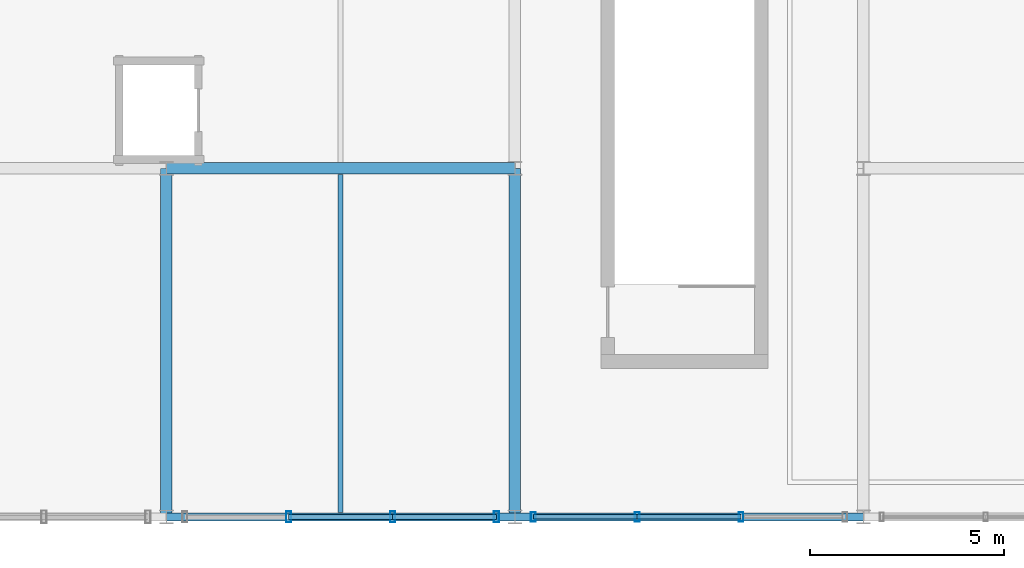
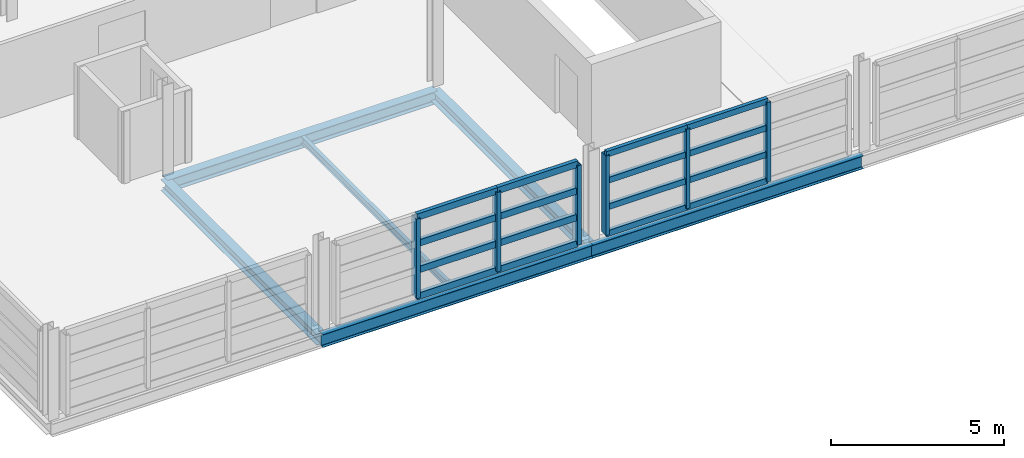
# One storey, part 32 of 86: 22 members, 6 beams, 2 elements without a shape of their own.
"""IFC4 building model written with IfcOpenShell, lengths in metres."""

from ifc_helpers import new_model, si_unit, direction, frame, origin, origin_2d, place, context, subcontext, project, spatial, hollow_rectangle, i_section, extrude, material, material_profile, profile_set, type_object, element, aggregate, save


model = new_model("IFC4")

# Units and contexts
model_context = context("Model", 3, precision=1e-05, world=origin(), true_north=direction((0.0, 1.0)))
body_context = subcontext(model_context, "Body", "Model", "MODEL_VIEW")
ifc_project = project(units=[si_unit("LENGTHUNIT", "METRE"), si_unit("AREAUNIT", "SQUARE_METRE"), si_unit("VOLUMEUNIT", "CUBIC_METRE"), si_unit("PLANEANGLEUNIT", "RADIAN"), si_unit("MASSUNIT", "GRAM", prefix="KILO")], contexts=[model_context])

# Site, building, storey
site_placement = place(None, origin())
site = spatial("IfcSite", under=ifc_project, at=site_placement, CompositionType="ELEMENT")
building_placement = place(site_placement, origin())
building = spatial("IfcBuilding", under=site, at=building_placement, Name="Chuanluo Vaults Station", CompositionType="ELEMENT")
storey_placement = place(building_placement, frame((0.0, 0.0, 14.39990234375)))
storey = spatial("IfcBuildingStorey", under=building, at=storey_placement, Name="L03", CompositionType="ELEMENT", Elevation=14.39990234375)

# Beams
ifc_material_1 = material(Name="Steel Q355C", Category="steel")
ifc_material_profile_1 = material_profile(ifc_material_1, i_section(OverallWidth=0.300048828125, OverallDepth=0.389892578125, WebThickness=0.010009765625, FlangeThickness=0.01611328125, FilletRadius=0.02001953125, at=origin_2d()))
ifc_profile_set_1 = profile_set([ifc_material_profile_1], Name="Steel Q355C")
beam_type_1 = type_object("IfcBeamType", Name="BM-GRD-400", PredefinedType="BEAM", material=ifc_profile_set_1)
for number, where, z_axis, x_axis, name in (
    (1, (145.0, 0.0, -0.39501953125), (0.0, 1.0, 0.0), (-1.0, 0.0, 0.0), "Floor girder BM:GY:L03:0786"),
    (2, (154.0, 0.0, -0.39501953125), (0.0, 1.0, 0.0), (-1.0, 0.0, 0.0), "Floor girder BM:GY:L03:0795"),
):
    element("IfcBeam", number, at=place(storey_placement, frame(where, z_axis=z_axis, x_axis=x_axis)), inside=storey, type_object=beam_type_1, Name=name, PredefinedType="BEAM", context=body_context, shape_type="SweptSolid", body=[
        extrude(i_section(OverallWidth=0.300048828125, OverallDepth=0.389892578125, WebThickness=0.010009765625, FlangeThickness=0.01611328125, FilletRadius=0.02001953125, at=origin_2d()), origin(), (0.0, 0.0, 1.0), 9.0),
    ])
ifc_material_2 = material(Name="Steel Q355C", Category="steel")
ifc_material_profile_2 = material_profile(ifc_material_2, i_section(OverallWidth=0.300048828125, OverallDepth=0.43994140625, WebThickness=0.010986328125, FlangeThickness=0.01806640625, FilletRadius=0.02001953125, at=origin_2d()))
ifc_profile_set_2 = profile_set([ifc_material_profile_2], Name="Steel Q355C")
beam_type_2 = type_object("IfcBeamType", Name="BM-GRD-450", PredefinedType="USERDEFINED", material=ifc_profile_set_2)
beam_1_placement = place(storey_placement, frame((145.0, 9.0, -0.419921875), z_axis=(1.0, 0.0, 0.0), x_axis=(0.0, 1.0, 0.0)))
element("IfcBeam", 3, at=beam_1_placement, inside=storey, type_object=beam_type_2, Name="Floor girder BM:GX:L03:0717", ObjectType="GIRDER", PredefinedType="USERDEFINED", context=body_context, shape_type="SweptSolid", body=[
    extrude(i_section(OverallWidth=0.300048828125, OverallDepth=0.43994140625, WebThickness=0.010986328125, FlangeThickness=0.01806640625, FilletRadius=0.02001953125, at=origin_2d()), origin(), (0.0, 0.0, 1.0), 9.0),
])
ifc_material_3 = material(Name="Steel Q355C", Category="steel")
ifc_material_profile_3 = material_profile(ifc_material_3, i_section(OverallWidth=0.125, OverallDepth=0.25, WebThickness=0.006103515625, FlangeThickness=0.009033203125, FilletRadius=0.011962890625, at=origin_2d()))
ifc_profile_set_3 = profile_set([ifc_material_profile_3], Name="Steel Q355C")
beam_type_3 = type_object("IfcBeamType", Name="BM-SEC-250", PredefinedType="JOIST", material=ifc_profile_set_3)
beam_2_placement = place(storey_placement, frame((149.5, 0.107421875, -0.324951171875), z_axis=(0.0, 1.0, 0.0), x_axis=(-1.0, 0.0, 0.0)))
element("IfcBeam", 4, at=beam_2_placement, inside=storey, type_object=beam_type_3, Name="Composite secondary joist 0236", PredefinedType="JOIST", context=body_context, shape_type="SweptSolid", body=[
    extrude(i_section(OverallWidth=0.125, OverallDepth=0.25, WebThickness=0.006103515625, FlangeThickness=0.009033203125, FilletRadius=0.011962890625, at=origin_2d()), origin(), (0.0, 0.0, 1.0), 8.737548828125),
])
ifc_material_4 = material(Name="Steel Q355C", Category="steel")
ifc_material_profile_4 = material_profile(ifc_material_4, i_section(OverallWidth=0.205078125, OverallDepth=0.4599609375, WebThickness=0.009033203125, FlangeThickness=0.013916015625, FilletRadius=0.01611328125, at=origin_2d()))
ifc_profile_set_4 = profile_set([ifc_material_profile_4], Name="Steel Q355C")
beam_type_4 = type_object("IfcBeamType", Name="BM-SPN-450", PredefinedType="SPANDREL", material=ifc_profile_set_4)
for number, where, z_axis, x_axis, name in (
    (5, (145.0, 0.0, -0.429931640625), (1.0, 0.0, 0.0), (0.0, 1.0, 0.0), "Floor girder BM:GX:L03:0712"),
    (6, (154.0, 0.0, -0.429931640625), (1.0, 0.0, 0.0), (0.0, 1.0, 0.0), "Floor girder BM:GX:L03:0713"),
):
    element("IfcBeam", number, at=place(storey_placement, frame(where, z_axis=z_axis, x_axis=x_axis)), inside=storey, type_object=beam_type_4, Name=name, PredefinedType="SPANDREL", context=body_context, shape_type="SweptSolid", body=[
        extrude(i_section(OverallWidth=0.205078125, OverallDepth=0.4599609375, WebThickness=0.009033203125, FlangeThickness=0.013916015625, FilletRadius=0.01611328125, at=origin_2d()), origin(), (0.0, 0.0, 1.0), 9.0),
    ])

# Curtain wall, members
ifc_material_5 = material(Name="Anodised aluminium 6063-T6", Category="aluminium")
curtain_wall_type_1 = type_object("IfcCurtainWallType", Name="CW-SYS-07", PredefinedType="NOTDEFINED", material=ifc_material_5)
curtain_wall_1_placement = place(storey_placement, origin())
curtain_wall_1 = element("IfcCurtainWall", 7, at=curtain_wall_1_placement, inside=storey, type_object=curtain_wall_type_1, Name="Retail pavilion L03 facade CW", PredefinedType="NOTDEFINED")
ifc_material_6 = material(Name="Anodised aluminium 6063-T6", Category="aluminium")
ifc_material_profile_5 = material_profile(ifc_material_6, hollow_rectangle(XDim=0.1201171875, YDim=0.25, WallThickness=0.006103515625, at=origin_2d()))
ifc_profile_set_5 = profile_set([ifc_material_profile_5], Name="Anodised aluminium 6063-T6")
member_type_1 = type_object("IfcMemberType", Name="CWM-160", PredefinedType="MULLION", material=ifc_profile_set_5)
member_1_placement = place(storey_placement, frame((159.841796875, 0.0, 0.0), z_axis=(0.0, 0.0, 1.0), x_axis=(-1.0, 0.0, 0.0)))
member_1 = element("IfcMember", 8, at=member_1_placement, type_object=member_type_1, Name="Retail pavilion L03 facade CW mullion 2", PredefinedType="MULLION", context=body_context, shape_type="SweptSolid", body=[
    extrude(hollow_rectangle(XDim=0.1201171875, YDim=0.25, WallThickness=0.006103515625, at=origin_2d()), origin(), (0.0, 0.0, 1.0), 2.800048828125),
])
member_2_placement = place(storey_placement, frame((157.158203125, 0.0, 0.0), z_axis=(0.0, 0.0, 1.0), x_axis=(-1.0, 0.0, 0.0)))
member_2 = element("IfcMember", 9, at=member_2_placement, type_object=member_type_1, Name="Retail pavilion L03 facade CW mullion 3", PredefinedType="MULLION", context=body_context, shape_type="SweptSolid", body=[
    extrude(hollow_rectangle(XDim=0.1201171875, YDim=0.25, WallThickness=0.006103515625, at=origin_2d()), origin(), (0.0, 0.0, 1.0), 2.800048828125),
])
member_3_placement = place(storey_placement, frame((154.47509765625, 0.0, 0.0), z_axis=(0.0, 0.0, 1.0), x_axis=(-1.0, 0.0, 0.0)))
member_3 = element("IfcMember", 10, at=member_3_placement, type_object=member_type_1, Name="Retail pavilion L03 facade CW mullion 4", PredefinedType="MULLION", context=body_context, shape_type="SweptSolid", body=[
    extrude(hollow_rectangle(XDim=0.1201171875, YDim=0.25, WallThickness=0.006103515625, at=origin_2d()), origin(), (0.0, 0.0, 1.0), 2.800048828125),
])

ifc_material_7 = material(Name="Anodised aluminium 6063-T6", Category="aluminium")
curtain_wall_type_2 = type_object("IfcCurtainWallType", Name="CW-SYS-06", PredefinedType="NOTDEFINED", material=ifc_material_7)
curtain_wall_2_placement = place(storey_placement, origin())
curtain_wall_2 = element("IfcCurtainWall", 11, at=curtain_wall_2_placement, inside=storey, type_object=curtain_wall_type_2, Name="Retail pavilion L03 facade CW", PredefinedType="NOTDEFINED")
ifc_material_8 = material(Name="Anodised aluminium 6063-T6", Category="aluminium")
ifc_material_profile_6 = material_profile(ifc_material_8, hollow_rectangle(XDim=0.1298828125, YDim=0.280029296875, WallThickness=0.007080078125, at=origin_2d()))
ifc_profile_set_6 = profile_set([ifc_material_profile_6], Name="Anodised aluminium 6063-T6")
member_type_2 = type_object("IfcMemberType", Name="CWM-180", PredefinedType="MULLION", material=ifc_profile_set_6)
member_4_placement = place(storey_placement, frame((153.52490234375, 0.0, 0.0), z_axis=(0.0, 0.0, 1.0), x_axis=(-1.0, 0.0, 0.0)))
member_4 = element("IfcMember", 12, at=member_4_placement, type_object=member_type_2, Name="Retail pavilion L03 facade CW mullion 1", PredefinedType="MULLION", context=body_context, shape_type="SweptSolid", body=[
    extrude(hollow_rectangle(XDim=0.1298828125, YDim=0.280029296875, WallThickness=0.007080078125, at=origin_2d()), origin(), (0.0, 0.0, 1.0), 2.800048828125),
])
member_5_placement = place(storey_placement, frame((150.841796875, 0.0, 0.0), z_axis=(0.0, 0.0, 1.0), x_axis=(-1.0, 0.0, 0.0)))
member_5 = element("IfcMember", 13, at=member_5_placement, type_object=member_type_2, Name="Retail pavilion L03 facade CW mullion 2", PredefinedType="MULLION", context=body_context, shape_type="SweptSolid", body=[
    extrude(hollow_rectangle(XDim=0.1298828125, YDim=0.280029296875, WallThickness=0.007080078125, at=origin_2d()), origin(), (0.0, 0.0, 1.0), 2.800048828125),
])
member_6_placement = place(storey_placement, frame((148.158203125, 0.0, 0.0), z_axis=(0.0, 0.0, 1.0), x_axis=(-1.0, 0.0, 0.0)))
member_6 = element("IfcMember", 14, at=member_6_placement, type_object=member_type_2, Name="Retail pavilion L03 facade CW mullion 3", PredefinedType="MULLION", context=body_context, shape_type="SweptSolid", body=[
    extrude(hollow_rectangle(XDim=0.1298828125, YDim=0.280029296875, WallThickness=0.007080078125, at=origin_2d()), origin(), (0.0, 0.0, 1.0), 2.800048828125),
])

# Member
ifc_material_9 = material(Name="Anodised aluminium 6063-T6", Category="aluminium")
ifc_material_profile_7 = material_profile(ifc_material_9, hollow_rectangle(XDim=0.1201171875, YDim=0.205078125, WallThickness=0.006103515625, at=origin_2d()))
ifc_profile_set_7 = profile_set([ifc_material_profile_7], Name="Anodised aluminium 6063-T6")
member_type_3 = type_object("IfcMemberType", Name="CWT-130", PredefinedType="USERDEFINED", material=ifc_profile_set_7)
member_7_placement = place(storey_placement, frame((159.841796875, 0.0, 0.0), z_axis=(-1.0, 0.0, 0.0), x_axis=(0.0, -1.0, 0.0)))
member_7 = element("IfcMember", 15, at=member_7_placement, type_object=member_type_3, Name="Retail pavilion L03 facade CW transom 2.1", ObjectType="TRANSOM", PredefinedType="USERDEFINED", context=body_context, shape_type="SweptSolid", body=[
    extrude(hollow_rectangle(XDim=0.1201171875, YDim=0.205078125, WallThickness=0.006103515625, at=origin_2d()), origin(), (0.0, 0.0, 1.0), 2.68359375),
])

member_8_placement = place(storey_placement, frame((159.841796875, 0.0, 0.933349609375), z_axis=(-1.0, 0.0, 0.0), x_axis=(0.0, -1.0, 0.0)))
member_8 = element("IfcMember", 16, at=member_8_placement, type_object=member_type_3, Name="Retail pavilion L03 facade CW transom 2.2", ObjectType="TRANSOM", PredefinedType="USERDEFINED", context=body_context, shape_type="SweptSolid", body=[
    extrude(hollow_rectangle(XDim=0.1201171875, YDim=0.205078125, WallThickness=0.006103515625, at=origin_2d()), origin(), (0.0, 0.0, 1.0), 2.68359375),
])

member_9_placement = place(storey_placement, frame((159.841796875, 0.0, 1.86669921875), z_axis=(-1.0, 0.0, 0.0), x_axis=(0.0, -1.0, 0.0)))
member_9 = element("IfcMember", 17, at=member_9_placement, type_object=member_type_3, Name="Retail pavilion L03 facade CW transom 2.3", ObjectType="TRANSOM", PredefinedType="USERDEFINED", context=body_context, shape_type="SweptSolid", body=[
    extrude(hollow_rectangle(XDim=0.1201171875, YDim=0.205078125, WallThickness=0.006103515625, at=origin_2d()), origin(), (0.0, 0.0, 1.0), 2.68359375),
])

member_10_placement = place(storey_placement, frame((159.841796875, 0.0, 2.800048828125), z_axis=(-1.0, 0.0, 0.0), x_axis=(0.0, -1.0, 0.0)))
member_10 = element("IfcMember", 18, at=member_10_placement, type_object=member_type_3, Name="Retail pavilion L03 facade CW transom 2.4", ObjectType="TRANSOM", PredefinedType="USERDEFINED", context=body_context, shape_type="SweptSolid", body=[
    extrude(hollow_rectangle(XDim=0.1201171875, YDim=0.205078125, WallThickness=0.006103515625, at=origin_2d()), origin(), (0.0, 0.0, 1.0), 2.68359375),
])

member_11_placement = place(storey_placement, frame((157.158203125, 0.0, 0.0), z_axis=(-1.0, 0.0, 0.0), x_axis=(0.0, -1.0, 0.0)))
member_11 = element("IfcMember", 19, at=member_11_placement, type_object=member_type_3, Name="Retail pavilion L03 facade CW transom 3.1", ObjectType="TRANSOM", PredefinedType="USERDEFINED", context=body_context, shape_type="SweptSolid", body=[
    extrude(hollow_rectangle(XDim=0.1201171875, YDim=0.205078125, WallThickness=0.006103515625, at=origin_2d()), origin(), (0.0, 0.0, 1.0), 2.68310546875),
])

member_12_placement = place(storey_placement, frame((157.158203125, 0.0, 0.933349609375), z_axis=(-1.0, 0.0, 0.0), x_axis=(0.0, -1.0, 0.0)))
member_12 = element("IfcMember", 20, at=member_12_placement, type_object=member_type_3, Name="Retail pavilion L03 facade CW transom 3.2", ObjectType="TRANSOM", PredefinedType="USERDEFINED", context=body_context, shape_type="SweptSolid", body=[
    extrude(hollow_rectangle(XDim=0.1201171875, YDim=0.205078125, WallThickness=0.006103515625, at=origin_2d()), origin(), (0.0, 0.0, 1.0), 2.68310546875),
])

member_13_placement = place(storey_placement, frame((157.158203125, 0.0, 1.86669921875), z_axis=(-1.0, 0.0, 0.0), x_axis=(0.0, -1.0, 0.0)))
member_13 = element("IfcMember", 21, at=member_13_placement, type_object=member_type_3, Name="Retail pavilion L03 facade CW transom 3.3", ObjectType="TRANSOM", PredefinedType="USERDEFINED", context=body_context, shape_type="SweptSolid", body=[
    extrude(hollow_rectangle(XDim=0.1201171875, YDim=0.205078125, WallThickness=0.006103515625, at=origin_2d()), origin(), (0.0, 0.0, 1.0), 2.68310546875),
])

member_14_placement = place(storey_placement, frame((157.158203125, 0.0, 2.800048828125), z_axis=(-1.0, 0.0, 0.0), x_axis=(0.0, -1.0, 0.0)))
member_14 = element("IfcMember", 22, at=member_14_placement, type_object=member_type_3, Name="Retail pavilion L03 facade CW transom 3.4", ObjectType="TRANSOM", PredefinedType="USERDEFINED", context=body_context, shape_type="SweptSolid", body=[
    extrude(hollow_rectangle(XDim=0.1201171875, YDim=0.205078125, WallThickness=0.006103515625, at=origin_2d()), origin(), (0.0, 0.0, 1.0), 2.68310546875),
])

aggregate(curtain_wall_1, [member_1, member_2, member_3, member_7, member_8, member_9, member_10, member_11, member_12, member_13, member_14])

ifc_material_10 = material(Name="Anodised aluminium 6063-T6", Category="aluminium")
ifc_material_profile_8 = material_profile(ifc_material_10, hollow_rectangle(XDim=0.1298828125, YDim=0.22998046875, WallThickness=0.006103515625, at=origin_2d()))
ifc_profile_set_8 = profile_set([ifc_material_profile_8], Name="Anodised aluminium 6063-T6")
member_type_4 = type_object("IfcMemberType", Name="CWT-150", PredefinedType="USERDEFINED", material=ifc_profile_set_8)
member_15_placement = place(storey_placement, frame((153.52490234375, 0.0, 0.0), z_axis=(-1.0, 0.0, 0.0), x_axis=(0.0, -1.0, 0.0)))
member_15 = element("IfcMember", 23, at=member_15_placement, type_object=member_type_4, Name="Retail pavilion L03 facade CW transom 1.1", ObjectType="TRANSOM", PredefinedType="USERDEFINED", context=body_context, shape_type="SweptSolid", body=[
    extrude(hollow_rectangle(XDim=0.1298828125, YDim=0.22998046875, WallThickness=0.006103515625, at=origin_2d()), origin(), (0.0, 0.0, 1.0), 2.68310546875),
])

member_16_placement = place(storey_placement, frame((153.52490234375, 0.0, 0.933349609375), z_axis=(-1.0, 0.0, 0.0), x_axis=(0.0, -1.0, 0.0)))
member_16 = element("IfcMember", 24, at=member_16_placement, type_object=member_type_4, Name="Retail pavilion L03 facade CW transom 1.2", ObjectType="TRANSOM", PredefinedType="USERDEFINED", context=body_context, shape_type="SweptSolid", body=[
    extrude(hollow_rectangle(XDim=0.1298828125, YDim=0.22998046875, WallThickness=0.006103515625, at=origin_2d()), origin(), (0.0, 0.0, 1.0), 2.68310546875),
])

member_17_placement = place(storey_placement, frame((153.52490234375, 0.0, 1.86669921875), z_axis=(-1.0, 0.0, 0.0), x_axis=(0.0, -1.0, 0.0)))
member_17 = element("IfcMember", 25, at=member_17_placement, type_object=member_type_4, Name="Retail pavilion L03 facade CW transom 1.3", ObjectType="TRANSOM", PredefinedType="USERDEFINED", context=body_context, shape_type="SweptSolid", body=[
    extrude(hollow_rectangle(XDim=0.1298828125, YDim=0.22998046875, WallThickness=0.006103515625, at=origin_2d()), origin(), (0.0, 0.0, 1.0), 2.68310546875),
])

member_18_placement = place(storey_placement, frame((153.52490234375, 0.0, 2.800048828125), z_axis=(-1.0, 0.0, 0.0), x_axis=(0.0, -1.0, 0.0)))
member_18 = element("IfcMember", 26, at=member_18_placement, type_object=member_type_4, Name="Retail pavilion L03 facade CW transom 1.4", ObjectType="TRANSOM", PredefinedType="USERDEFINED", context=body_context, shape_type="SweptSolid", body=[
    extrude(hollow_rectangle(XDim=0.1298828125, YDim=0.22998046875, WallThickness=0.006103515625, at=origin_2d()), origin(), (0.0, 0.0, 1.0), 2.68310546875),
])

member_19_placement = place(storey_placement, frame((150.841796875, 0.0, 0.0), z_axis=(-1.0, 0.0, 0.0), x_axis=(0.0, -1.0, 0.0)))
member_19 = element("IfcMember", 27, at=member_19_placement, type_object=member_type_4, Name="Retail pavilion L03 facade CW transom 2.1", ObjectType="TRANSOM", PredefinedType="USERDEFINED", context=body_context, shape_type="SweptSolid", body=[
    extrude(hollow_rectangle(XDim=0.1298828125, YDim=0.22998046875, WallThickness=0.006103515625, at=origin_2d()), origin(), (0.0, 0.0, 1.0), 2.68359375),
])

member_20_placement = place(storey_placement, frame((150.841796875, 0.0, 0.933349609375), z_axis=(-1.0, 0.0, 0.0), x_axis=(0.0, -1.0, 0.0)))
member_20 = element("IfcMember", 28, at=member_20_placement, type_object=member_type_4, Name="Retail pavilion L03 facade CW transom 2.2", ObjectType="TRANSOM", PredefinedType="USERDEFINED", context=body_context, shape_type="SweptSolid", body=[
    extrude(hollow_rectangle(XDim=0.1298828125, YDim=0.22998046875, WallThickness=0.006103515625, at=origin_2d()), origin(), (0.0, 0.0, 1.0), 2.68359375),
])

member_21_placement = place(storey_placement, frame((150.841796875, 0.0, 1.86669921875), z_axis=(-1.0, 0.0, 0.0), x_axis=(0.0, -1.0, 0.0)))
member_21 = element("IfcMember", 29, at=member_21_placement, type_object=member_type_4, Name="Retail pavilion L03 facade CW transom 2.3", ObjectType="TRANSOM", PredefinedType="USERDEFINED", context=body_context, shape_type="SweptSolid", body=[
    extrude(hollow_rectangle(XDim=0.1298828125, YDim=0.22998046875, WallThickness=0.006103515625, at=origin_2d()), origin(), (0.0, 0.0, 1.0), 2.68359375),
])

member_22_placement = place(storey_placement, frame((150.841796875, 0.0, 2.800048828125), z_axis=(-1.0, 0.0, 0.0), x_axis=(0.0, -1.0, 0.0)))
member_22 = element("IfcMember", 30, at=member_22_placement, type_object=member_type_4, Name="Retail pavilion L03 facade CW transom 2.4", ObjectType="TRANSOM", PredefinedType="USERDEFINED", context=body_context, shape_type="SweptSolid", body=[
    extrude(hollow_rectangle(XDim=0.1298828125, YDim=0.22998046875, WallThickness=0.006103515625, at=origin_2d()), origin(), (0.0, 0.0, 1.0), 2.68359375),
])

aggregate(curtain_wall_2, [member_4, member_5, member_6, member_15, member_16, member_17, member_18, member_19, member_20, member_21, member_22])

save(model, "model.ifc")
